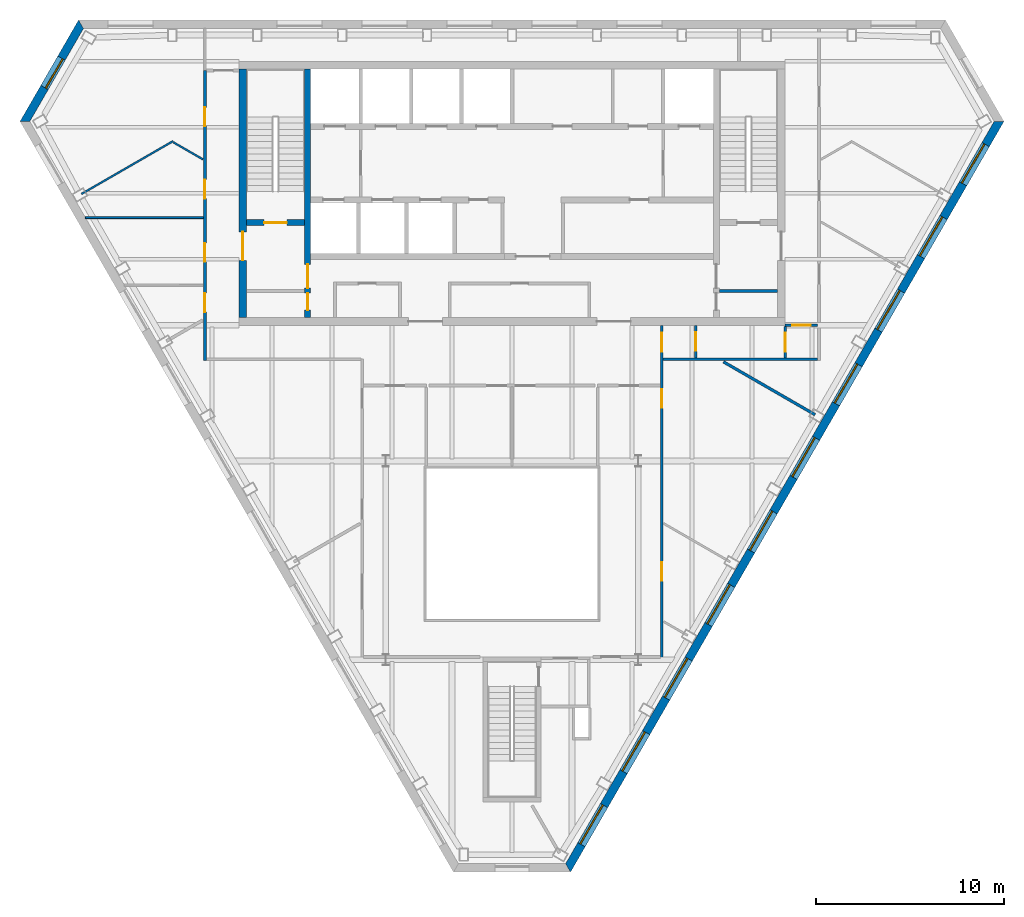
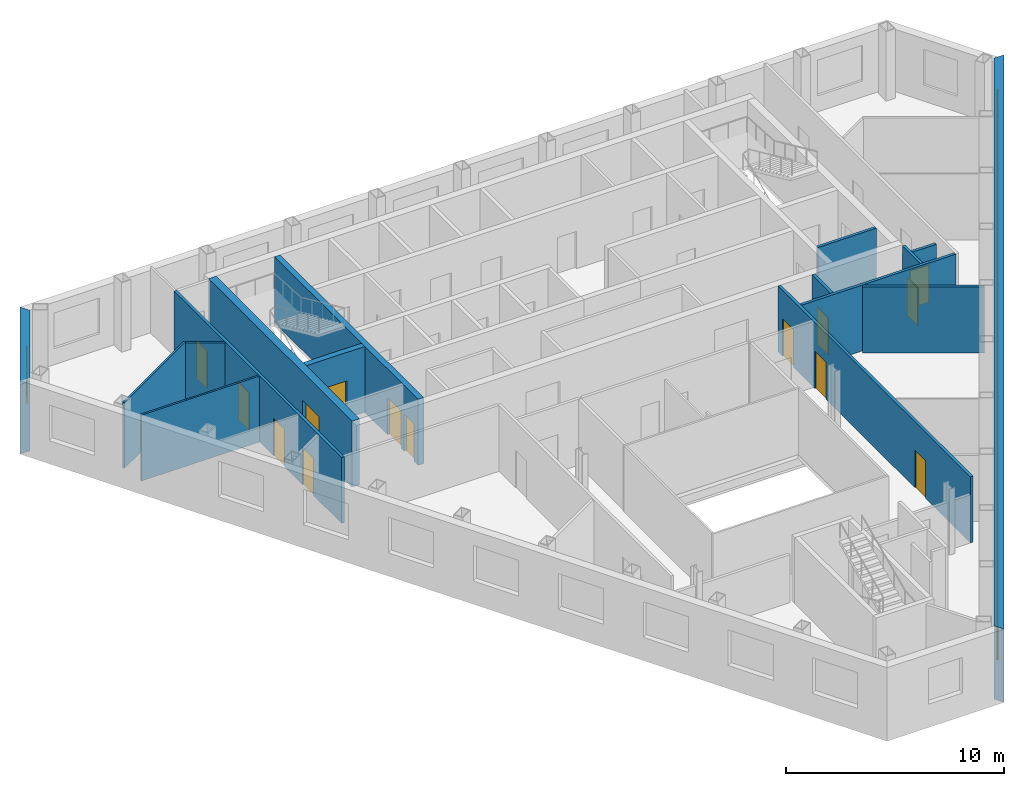
# One storey, part 5 of 10: 16 walls, 14 doors, 11 windows, 25 openings.
"""IFC4 building model written with IfcOpenShell, lengths in metres."""

from ifc_helpers import new_model, si_unit, direction, frame, frame_2d, origin, place, context, subcontext, project, spatial, polyline, rectangle, outline, extrude, material, layer, layer_set, type_object, element, fill, save


model = new_model("IFC4")

# Units and contexts
model_context = context("Model", 3, precision=1e-05, world=origin(), true_north=direction((0.0, 1.0)))
body_context = subcontext(model_context, "Body", "Model", "MODEL_VIEW")
ifc_project = project(units=[si_unit("LENGTHUNIT", "METRE"), si_unit("AREAUNIT", "SQUARE_METRE"), si_unit("VOLUMEUNIT", "CUBIC_METRE"), si_unit("PLANEANGLEUNIT", "RADIAN"), si_unit("MASSUNIT", "GRAM", prefix="KILO")], contexts=[model_context])

# Site, building, storey
site_placement = place(None, origin())
site = spatial("IfcSite", under=ifc_project, at=site_placement, CompositionType="ELEMENT")
building_placement = place(site_placement, origin())
building = spatial("IfcBuilding", under=site, at=building_placement, Name="Njiva Tower", CompositionType="ELEMENT")
storey_placement = place(building_placement, frame((0.0, 0.0, 253.2)))
storey = spatial("IfcBuildingStorey", under=building, at=storey_placement, Name="L57", CompositionType="ELEMENT", Elevation=253.2)

# Wall
ifc_material_1 = material(Name="Blockwork", Category="masonry")
ifc_layer_1 = layer(ifc_material_1, 0.15)
ifc_layer_set_1 = layer_set([ifc_layer_1], Name="Blockwork")
wall_type_1 = type_object("IfcWallType", Name="WT1 Compartment partition 150", PredefinedType="PARTITIONING", material=ifc_layer_set_1)
wall_1_placement = place(storey_placement, frame((11.0, 5.825, 0.0), z_axis=(0.0, 0.0, 1.0), x_axis=(1.0, 0.0, 0.0)))
element("IfcWall", 1, at=wall_1_placement, inside=storey, type_object=wall_type_1, Name="Room wall B", PredefinedType="PARTITIONING", context=body_context, shape_type="SweptSolid", body=[
    extrude(rectangle(XDim=3.1, YDim=0.15, at=frame_2d((1.55, 0.0))), origin(), (0.0, 0.0, 1.0), 3.7),
])

# Wall, openings, doors
ifc_material_2 = material(Name="Concrete C40/50", Category="concrete")
ifc_layer_2 = layer(ifc_material_2, 0.3)
ifc_layer_set_2 = layer_set([ifc_layer_2], Name="Concrete C40/50")
wall_type_2 = type_object("IfcWallType", Name="WT10 Stair enclosure wall 300", PredefinedType="SHEAR", material=ifc_layer_set_2)
wall_2_placement = place(storey_placement, frame((-10.85, 4.4, 0.0), z_axis=(0.0, 0.0, 1.0), x_axis=(0.0, 1.0, 0.0)))
wall_2 = element("IfcWall", 2, at=wall_2_placement, inside=storey, type_object=wall_type_2, Name="Stair wall west inner", PredefinedType="SHEAR", context=body_context, shape_type="SweptSolid", body=[
    extrude(rectangle(XDim=13.2, YDim=0.3, at=frame_2d((6.6, 0.0))), origin(), (0.0, 0.0, 1.0), 3.7),
])
opening_1_placement = place(wall_2_placement, frame((1.575, 0.0, 0.0)))
opening_1 = element("IfcOpeningElement", 3, at=opening_1_placement, cuts=wall_2, Name="Opening S18-D915", PredefinedType="OPENING", context=body_context, shape_type="SweptSolid", body=[
    extrude(rectangle(XDim=1.25, YDim=2.1, at=frame_2d((0.625, 1.05))), frame((0.0, 0.16, 0.0), z_axis=(0.0, -1.0, 0.0), x_axis=(1.0, 0.0, 0.0)), (0.0, 0.0, 1.0), 0.32),
])
opening_2_placement = place(wall_2_placement, frame((0.4, 0.0, 0.0)))
opening_2 = element("IfcOpeningElement", 4, at=opening_2_placement, cuts=wall_2, Name="Opening S18-D917", PredefinedType="OPENING", context=body_context, shape_type="SweptSolid", body=[
    extrude(rectangle(XDim=0.9, YDim=2.1, at=frame_2d((0.45, 1.05))), frame((0.0, 0.16, 0.0), z_axis=(0.0, -1.0, 0.0), x_axis=(1.0, 0.0, 0.0)), (0.0, 0.0, 1.0), 0.32),
])
ifc_material_3 = material(Name="Steel door, painted", Category="steel")
door_type_1 = type_object("IfcDoorType", Name="D13 Steel door 900x2100", OperationType="SINGLE_SWING_LEFT", PredefinedType="DOOR", material=ifc_material_3)
door_1_placement = place(opening_2_placement, origin())
door_1 = element("IfcDoor", 5, at=door_1_placement, inside=storey, type_object=door_type_1, Name="Prayer room door", OperationType="SINGLE_SWING_RIGHT", OverallHeight=2.1, OverallWidth=0.9, PredefinedType="DOOR", context=body_context, shape_type="SweptSolid", body=[
    extrude(rectangle(XDim=0.9, YDim=2.1, at=frame_2d((0.45, 1.05))), frame((0.0, 0.025, 0.0), z_axis=(0.0, -1.0, 0.0), x_axis=(1.0, 0.0, 0.0)), (0.0, 0.0, 1.0), 0.05),
])
fill(opening_2, door_1)
ifc_material_4 = material(Name="Glazed steel fire door", Category="steel")
door_type_2 = type_object("IfcDoorType", Name="D8 Vestibule corridor door 1250x2100 glazed", OperationType="SINGLE_SWING_LEFT", PredefinedType="DOOR", material=ifc_material_4)
door_2_placement = place(opening_1_placement, origin())
door_2 = element("IfcDoor", 6, at=door_2_placement, inside=storey, type_object=door_type_2, Name="Stair vestibule corridor door", OperationType="SINGLE_SWING_LEFT", OverallHeight=2.1, OverallWidth=1.25, PredefinedType="DOOR", context=body_context, shape_type="SweptSolid", body=[
    extrude(rectangle(XDim=1.25, YDim=2.1, at=frame_2d((0.625, 1.05))), frame((0.0, 0.025, 0.0), z_axis=(0.0, -1.0, 0.0), x_axis=(1.0, 0.0, 0.0)), (0.0, 0.0, 1.0), 0.05),
])
fill(opening_1, door_2)

# Wall, opening, door
wall_3_placement = place(storey_placement, frame((-14.1, 9.45, 0.0), z_axis=(0.0, 0.0, 1.0), x_axis=(1.0, 0.0, 0.0)))
wall_3 = element("IfcWall", 7, at=wall_3_placement, inside=storey, type_object=wall_type_2, Name="Stair A south wall", PredefinedType="SHEAR", context=body_context, shape_type="SweptSolid", body=[
    extrude(rectangle(XDim=3.1, YDim=0.3, at=frame_2d((1.55, 0.0))), origin(), (0.0, 0.0, 1.0), 3.7),
])
opening_3_placement = place(wall_3_placement, frame((0.95, 0.0, 0.0)))
opening_3 = element("IfcOpeningElement", 8, at=opening_3_placement, cuts=wall_3, Name="Opening S18-D914", PredefinedType="OPENING", context=body_context, shape_type="SweptSolid", body=[
    extrude(rectangle(XDim=1.2, YDim=2.1, at=frame_2d((0.6, 1.05))), frame((0.0, 0.16, 0.0), z_axis=(0.0, -1.0, 0.0), x_axis=(1.0, 0.0, 0.0)), (0.0, 0.0, 1.0), 0.32),
])
door_type_3 = type_object("IfcDoorType", Name="D7 Stair vestibule door 1200x2100 glazed", OperationType="SINGLE_SWING_LEFT", PredefinedType="DOOR", material=ifc_material_4)
door_3_placement = place(opening_3_placement, origin())
door_3 = element("IfcDoor", 9, at=door_3_placement, inside=storey, type_object=door_type_3, Name="Stair A door", OperationType="SINGLE_SWING_LEFT", OverallHeight=2.1, OverallWidth=1.2, PredefinedType="DOOR", context=body_context, shape_type="SweptSolid", body=[
    extrude(rectangle(XDim=1.2, YDim=2.1, at=frame_2d((0.6, 1.05))), frame((0.0, 0.025, 0.0), z_axis=(0.0, -1.0, 0.0), x_axis=(1.0, 0.0, 0.0)), (0.0, 0.0, 1.0), 0.05),
])
fill(opening_3, door_3)

ifc_material_5 = material(Name="Concrete C60/75", Category="concrete")
ifc_layer_3 = layer(ifc_material_5, 0.4)
ifc_layer_set_3 = layer_set([ifc_layer_3], Name="Concrete C60/75")
wall_type_3 = type_object("IfcWallType", Name="WT11 Core wall 400", PredefinedType="SHEAR", material=ifc_layer_set_3)
wall_4_placement = place(storey_placement, frame((-14.3, 4.4, 0.0), z_axis=(0.0, 0.0, 1.0), x_axis=(0.0, 1.0, 0.0)))
wall_4 = element("IfcWall", 10, at=wall_4_placement, inside=storey, type_object=wall_type_3, Name="Core wall west", PredefinedType="SHEAR", context=body_context, shape_type="SweptSolid", body=[
    extrude(rectangle(XDim=13.2, YDim=0.4, at=frame_2d((6.6, 0.0))), origin(), (0.0, 0.0, 1.0), 3.7),
])
opening_4_placement = place(wall_4_placement, frame((3.05, 0.0, 0.0)))
opening_4 = element("IfcOpeningElement", 11, at=opening_4_placement, cuts=wall_4, Name="Opening S18-D916", PredefinedType="OPENING", context=body_context, shape_type="SweptSolid", body=[
    extrude(rectangle(XDim=1.5, YDim=2.1, at=frame_2d((0.75, 1.05))), frame((0.0, 0.21, 0.0), z_axis=(0.0, -1.0, 0.0), x_axis=(1.0, 0.0, 0.0)), (0.0, 0.0, 1.0), 0.42),
])
door_type_4 = type_object("IfcDoorType", Name="D10 Exit door double 1500x2100 glazed", OperationType="DOUBLE_DOOR_SINGLE_SWING", PredefinedType="DOOR", material=ifc_material_4)
door_4_placement = place(opening_4_placement, origin())
door_4 = element("IfcDoor", 12, at=door_4_placement, inside=storey, type_object=door_type_4, Name="Stair A corridor door", OperationType="DOUBLE_DOOR_SINGLE_SWING", OverallHeight=2.1, OverallWidth=1.5, PredefinedType="DOOR", context=body_context, shape_type="SweptSolid", body=[
    extrude(rectangle(XDim=1.5, YDim=2.1, at=frame_2d((0.75, 1.05))), frame((0.0, 0.025, 0.0), z_axis=(0.0, -1.0, 0.0), x_axis=(1.0, 0.0, 0.0)), (0.0, 0.0, 1.0), 0.05),
])
fill(opening_4, door_4)

# Walls
ifc_material_6 = material(Name="Gypsum board on steel studs", Category="gypsum")
ifc_layer_4 = layer(ifc_material_6, 0.1)
ifc_layer_set_4 = layer_set([ifc_layer_4], Name="Gypsum board on steel studs")
wall_type_4 = type_object("IfcWallType", Name="WT20 Gypsum partition 100", PredefinedType="PARTITIONING", material=ifc_layer_set_4)
wall_5_placement = place(storey_placement, frame((-22.846, 10.969, 0.0), z_axis=(0.0, 0.0, 1.0), x_axis=(0.866182615826, 0.499727601839, 0.0)))
element("IfcWall", 13, at=wall_5_placement, inside=storey, type_object=wall_type_4, Name="Partition S18-P001", PredefinedType="PARTITIONING", context=body_context, shape_type="SweptSolid", body=[
    extrude(rectangle(XDim=5.6051, YDim=0.1, at=frame_2d((2.8026, 0.0))), origin(), (0.0, 0.0, 1.0), 3.7),
])
wall_6_placement = place(storey_placement, frame((-22.638, 9.711, 0.0), z_axis=(0.0, 0.0, 1.0), x_axis=(1.0, 0.0, 0.0)))
element("IfcWall", 14, at=wall_6_placement, inside=storey, type_object=wall_type_4, Name="Partition S18-P002", PredefinedType="PARTITIONING", context=body_context, shape_type="SweptSolid", body=[
    extrude(rectangle(XDim=6.263, YDim=0.1, at=frame_2d((3.1315, 0.0))), origin(), (0.0, 0.0, 1.0), 3.7),
])
wall_7_placement = place(storey_placement, frame((-17.975, 13.711, 0.0), z_axis=(0.0, 0.0, 1.0), x_axis=(0.866341220787, -0.499452589508, 0.0)))
element("IfcWall", 15, at=wall_7_placement, inside=storey, type_object=wall_type_4, Name="Partition S18-P005", PredefinedType="PARTITIONING", context=body_context, shape_type="SweptSolid", body=[
    extrude(rectangle(XDim=1.818, YDim=0.1, at=frame_2d((0.909, 0.0))), origin(), (0.0, 0.0, 1.0), 3.7),
])

# Wall, openings, doors
ifc_layer_5 = layer(ifc_material_6, 0.15)
ifc_layer_set_5 = layer_set([ifc_layer_5], Name="Gypsum board on steel studs")
wall_type_5 = type_object("IfcWallType", Name="WT21 Compartment wall 150", PredefinedType="PARTITIONING", material=ifc_layer_set_5)
wall_8_placement = place(storey_placement, frame((-16.3, 2.125, 0.0), z_axis=(0.0, 0.0, 1.0), x_axis=(0.0, 1.0, 0.0)))
wall_8 = element("IfcWall", 16, at=wall_8_placement, inside=storey, type_object=wall_type_5, Name="Partition S18-P006", PredefinedType="PARTITIONING", context=body_context, shape_type="SweptSolid", body=[
    extrude(rectangle(XDim=15.406, YDim=0.15, at=frame_2d((7.703, 0.0))), origin(), (0.0, 0.0, 1.0), 3.7),
])
opening_5_placement = place(wall_8_placement, frame((2.576, 0.0, 0.0)))
opening_5 = element("IfcOpeningElement", 17, at=opening_5_placement, cuts=wall_8, Name="Opening S18-D001", PredefinedType="OPENING", context=body_context, shape_type="SweptSolid", body=[
    extrude(rectangle(XDim=1.0, YDim=2.1, at=frame_2d((0.5, 1.05))), frame((0.0, 0.085, 0.0), z_axis=(0.0, -1.0, 0.0), x_axis=(1.0, 0.0, 0.0)), (0.0, 0.0, 1.0), 0.17),
])
opening_6_placement = place(wall_8_placement, frame((5.24, 0.0, 0.0)))
opening_6 = element("IfcOpeningElement", 18, at=opening_6_placement, cuts=wall_8, Name="Opening S18-D002", PredefinedType="OPENING", context=body_context, shape_type="SweptSolid", body=[
    extrude(rectangle(XDim=1.0, YDim=2.1, at=frame_2d((0.5, 1.05))), frame((0.0, 0.085, 0.0), z_axis=(0.0, -1.0, 0.0), x_axis=(1.0, 0.0, 0.0)), (0.0, 0.0, 1.0), 0.17),
])
opening_7_placement = place(wall_8_placement, frame((8.602, 0.0, 0.0)))
opening_7 = element("IfcOpeningElement", 19, at=opening_7_placement, cuts=wall_8, Name="Opening S18-D003", PredefinedType="OPENING", context=body_context, shape_type="SweptSolid", body=[
    extrude(rectangle(XDim=1.0, YDim=2.1, at=frame_2d((0.5, 1.05))), frame((0.0, 0.085, 0.0), z_axis=(0.0, -1.0, 0.0), x_axis=(1.0, 0.0, 0.0)), (0.0, 0.0, 1.0), 0.17),
])
opening_8_placement = place(wall_8_placement, frame((12.438, 0.0, 0.0)))
opening_8 = element("IfcOpeningElement", 20, at=opening_8_placement, cuts=wall_8, Name="Opening S18-D004", PredefinedType="OPENING", context=body_context, shape_type="SweptSolid", body=[
    extrude(rectangle(XDim=1.0, YDim=2.1, at=frame_2d((0.5, 1.05))), frame((0.0, 0.085, 0.0), z_axis=(0.0, -1.0, 0.0), x_axis=(1.0, 0.0, 0.0)), (0.0, 0.0, 1.0), 0.17),
])
ifc_material_7 = material(Name="Steel fire door set", Category="steel")
door_type_5 = type_object("IfcDoorType", Name="D37 Fire door 1000x2100", OperationType="SINGLE_SWING_LEFT", PredefinedType="DOOR", material=ifc_material_7)
door_5_placement = place(opening_5_placement, origin())
door_5 = element("IfcDoor", 21, at=door_5_placement, inside=storey, type_object=door_type_5, Name="Door S18-D001", OperationType="SINGLE_SWING_RIGHT", OverallHeight=2.1, OverallWidth=1.0, PredefinedType="DOOR", context=body_context, shape_type="SweptSolid", body=[
    extrude(rectangle(XDim=1.0, YDim=2.1, at=frame_2d((0.5, 1.05))), frame((0.0, 0.025, 0.0), z_axis=(0.0, -1.0, 0.0), x_axis=(1.0, 0.0, 0.0)), (0.0, 0.0, 1.0), 0.05),
])
fill(opening_5, door_5)
door_6_placement = place(opening_6_placement, origin())
door_6 = element("IfcDoor", 22, at=door_6_placement, inside=storey, type_object=door_type_5, Name="Door S18-D002", OperationType="SINGLE_SWING_RIGHT", OverallHeight=2.1, OverallWidth=1.0, PredefinedType="DOOR", context=body_context, shape_type="SweptSolid", body=[
    extrude(rectangle(XDim=1.0, YDim=2.1, at=frame_2d((0.5, 1.05))), frame((0.0, 0.025, 0.0), z_axis=(0.0, -1.0, 0.0), x_axis=(1.0, 0.0, 0.0)), (0.0, 0.0, 1.0), 0.05),
])
fill(opening_6, door_6)
door_7_placement = place(opening_7_placement, origin())
door_7 = element("IfcDoor", 23, at=door_7_placement, inside=storey, type_object=door_type_5, Name="Door S18-D003", OperationType="SINGLE_SWING_LEFT", OverallHeight=2.1, OverallWidth=1.0, PredefinedType="DOOR", context=body_context, shape_type="SweptSolid", body=[
    extrude(rectangle(XDim=1.0, YDim=2.1, at=frame_2d((0.5, 1.05))), frame((0.0, 0.025, 0.0), z_axis=(0.0, -1.0, 0.0), x_axis=(1.0, 0.0, 0.0)), (0.0, 0.0, 1.0), 0.05),
])
fill(opening_7, door_7)
door_8_placement = place(opening_8_placement, origin())
door_8 = element("IfcDoor", 24, at=door_8_placement, inside=storey, type_object=door_type_5, Name="Door S18-D004", OperationType="SINGLE_SWING_LEFT", OverallHeight=2.1, OverallWidth=1.0, PredefinedType="DOOR", context=body_context, shape_type="SweptSolid", body=[
    extrude(rectangle(XDim=1.0, YDim=2.1, at=frame_2d((0.5, 1.05))), frame((0.0, 0.025, 0.0), z_axis=(0.0, -1.0, 0.0), x_axis=(1.0, 0.0, 0.0)), (0.0, 0.0, 1.0), 0.05),
])
fill(opening_8, door_8)

wall_9_placement = place(storey_placement, frame((7.95, -13.675, 0.0), z_axis=(0.0, 0.0, 1.0), x_axis=(0.0, 1.0, 0.0)))
wall_9 = element("IfcWall", 25, at=wall_9_placement, inside=storey, type_object=wall_type_5, Name="Partition S18-P021", PredefinedType="PARTITIONING", context=body_context, shape_type="SweptSolid", body=[
    extrude(rectangle(XDim=17.675, YDim=0.15, at=frame_2d((8.8375, 0.0))), origin(), (0.0, 0.0, 1.0), 3.7),
])
opening_9_placement = place(wall_9_placement, frame((4.109, 0.0, 0.0)))
opening_9 = element("IfcOpeningElement", 26, at=opening_9_placement, cuts=wall_9, Name="Opening S18-D014", PredefinedType="OPENING", context=body_context, shape_type="SweptSolid", body=[
    extrude(rectangle(XDim=1.0, YDim=2.1, at=frame_2d((0.5, 1.05))), frame((0.0, 0.085, 0.0), z_axis=(0.0, -1.0, 0.0), x_axis=(1.0, 0.0, 0.0)), (0.0, 0.0, 1.0), 0.17),
])
opening_10_placement = place(wall_9_placement, frame((13.287, 0.0, 0.0)))
opening_10 = element("IfcOpeningElement", 27, at=opening_10_placement, cuts=wall_9, Name="Opening S18-D015", PredefinedType="OPENING", context=body_context, shape_type="SweptSolid", body=[
    extrude(rectangle(XDim=1.0, YDim=2.1, at=frame_2d((0.5, 1.05))), frame((0.0, 0.085, 0.0), z_axis=(0.0, -1.0, 0.0), x_axis=(1.0, 0.0, 0.0)), (0.0, 0.0, 1.0), 0.17),
])
opening_11_placement = place(wall_9_placement, frame((16.275, 0.0, 0.0)))
opening_11 = element("IfcOpeningElement", 28, at=opening_11_placement, cuts=wall_9, Name="Opening S18-D016", PredefinedType="OPENING", context=body_context, shape_type="SweptSolid", body=[
    extrude(rectangle(XDim=1.0, YDim=2.1, at=frame_2d((0.5, 1.05))), frame((0.0, 0.085, 0.0), z_axis=(0.0, -1.0, 0.0), x_axis=(1.0, 0.0, 0.0)), (0.0, 0.0, 1.0), 0.17),
])
door_9_placement = place(opening_9_placement, origin())
door_9 = element("IfcDoor", 29, at=door_9_placement, inside=storey, type_object=door_type_5, Name="Door S18-D014", OperationType="SINGLE_SWING_LEFT", OverallHeight=2.1, OverallWidth=1.0, PredefinedType="DOOR", context=body_context, shape_type="SweptSolid", body=[
    extrude(rectangle(XDim=1.0, YDim=2.1, at=frame_2d((0.5, 1.05))), frame((0.0, 0.025, 0.0), z_axis=(0.0, -1.0, 0.0), x_axis=(1.0, 0.0, 0.0)), (0.0, 0.0, 1.0), 0.05),
])
fill(opening_9, door_9)
door_10_placement = place(opening_10_placement, origin())
door_10 = element("IfcDoor", 30, at=door_10_placement, inside=storey, type_object=door_type_5, Name="Door S18-D015", OperationType="SINGLE_SWING_RIGHT", OverallHeight=2.1, OverallWidth=1.0, PredefinedType="DOOR", context=body_context, shape_type="SweptSolid", body=[
    extrude(rectangle(XDim=1.0, YDim=2.1, at=frame_2d((0.5, 1.05))), frame((0.0, 0.025, 0.0), z_axis=(0.0, -1.0, 0.0), x_axis=(1.0, 0.0, 0.0)), (0.0, 0.0, 1.0), 0.05),
])
fill(opening_10, door_10)
door_11_placement = place(opening_11_placement, origin())
door_11 = element("IfcDoor", 31, at=door_11_placement, inside=storey, type_object=door_type_5, Name="Door S18-D016", OperationType="SINGLE_SWING_RIGHT", OverallHeight=2.1, OverallWidth=1.0, PredefinedType="DOOR", context=body_context, shape_type="SweptSolid", body=[
    extrude(rectangle(XDim=1.0, YDim=2.1, at=frame_2d((0.5, 1.05))), frame((0.0, 0.025, 0.0), z_axis=(0.0, -1.0, 0.0), x_axis=(1.0, 0.0, 0.0)), (0.0, 0.0, 1.0), 0.05),
])
fill(opening_11, door_11)

# Wall
wall_10_placement = place(storey_placement, frame((8.025, 2.2, 0.0), z_axis=(0.0, 0.0, 1.0), x_axis=(1.0, 0.0, 0.0)))
element("IfcWall", 32, at=wall_10_placement, inside=storey, type_object=wall_type_5, Name="Partition S18-P022", PredefinedType="PARTITIONING", context=body_context, shape_type="SweptSolid", body=[
    extrude(rectangle(XDim=8.2, YDim=0.15, at=frame_2d((4.1, 0.0))), origin(), (0.0, 0.0, 1.0), 3.7),
])

# Wall, opening, door
wall_11_placement = place(storey_placement, frame((9.75, 2.275, 0.0), z_axis=(0.0, 0.0, 1.0), x_axis=(0.0, 1.0, 0.0)))
wall_11 = element("IfcWall", 33, at=wall_11_placement, inside=storey, type_object=wall_type_5, Name="Partition S18-P025", PredefinedType="PARTITIONING", context=body_context, shape_type="SweptSolid", body=[
    extrude(rectangle(XDim=1.725, YDim=0.15, at=frame_2d((0.8625, 0.0))), origin(), (0.0, 0.0, 1.0), 3.7),
])
opening_12_placement = place(wall_11_placement, frame((0.362, 0.0, 0.0)))
opening_12 = element("IfcOpeningElement", 34, at=opening_12_placement, cuts=wall_11, Name="Opening S18-D017", PredefinedType="OPENING", context=body_context, shape_type="SweptSolid", body=[
    extrude(rectangle(XDim=1.0, YDim=2.1, at=frame_2d((0.5, 1.05))), frame((0.0, 0.085, 0.0), z_axis=(0.0, -1.0, 0.0), x_axis=(1.0, 0.0, 0.0)), (0.0, 0.0, 1.0), 0.17),
])
door_12_placement = place(opening_12_placement, origin())
door_12 = element("IfcDoor", 35, at=door_12_placement, inside=storey, type_object=door_type_5, Name="Door S18-D017", OperationType="SINGLE_SWING_LEFT", OverallHeight=2.1, OverallWidth=1.0, PredefinedType="DOOR", context=body_context, shape_type="SweptSolid", body=[
    extrude(rectangle(XDim=1.0, YDim=2.1, at=frame_2d((0.5, 1.05))), frame((0.0, 0.025, 0.0), z_axis=(0.0, -1.0, 0.0), x_axis=(1.0, 0.0, 0.0)), (0.0, 0.0, 1.0), 0.05),
])
fill(opening_12, door_12)

# Wall
wall_12_placement = place(storey_placement, frame((11.221, 2.06, 0.0), z_axis=(0.0, 0.0, 1.0), x_axis=(0.866108468144, -0.499856100702, 0.0)))
element("IfcWall", 36, at=wall_12_placement, inside=storey, type_object=wall_type_5, Name="Partition S18-P026", PredefinedType="PARTITIONING", context=body_context, shape_type="SweptSolid", body=[
    extrude(rectangle(XDim=5.6136, YDim=0.15, at=frame_2d((2.8068, 0.0))), origin(), (0.0, 0.0, 1.0), 3.7),
])

# Wall, opening, door
wall_13_placement = place(storey_placement, frame((14.5, 2.275, 0.0), z_axis=(0.0, 0.0, 1.0), x_axis=(0.0, 1.0, 0.0)))
wall_13 = element("IfcWall", 37, at=wall_13_placement, inside=storey, type_object=wall_type_5, Name="Partition S18-P028", PredefinedType="PARTITIONING", context=body_context, shape_type="SweptSolid", body=[
    extrude(rectangle(XDim=1.65, YDim=0.15, at=frame_2d((0.825, 0.0))), origin(), (0.0, 0.0, 1.0), 3.7),
])
opening_13_placement = place(wall_13_placement, frame((0.325, 0.0, 0.0)))
opening_13 = element("IfcOpeningElement", 38, at=opening_13_placement, cuts=wall_13, Name="Opening S18-D018", PredefinedType="OPENING", context=body_context, shape_type="SweptSolid", body=[
    extrude(rectangle(XDim=1.0, YDim=2.1, at=frame_2d((0.5, 1.05))), frame((0.0, 0.085, 0.0), z_axis=(0.0, -1.0, 0.0), x_axis=(1.0, 0.0, 0.0)), (0.0, 0.0, 1.0), 0.17),
])
door_13_placement = place(opening_13_placement, origin())
door_13 = element("IfcDoor", 39, at=door_13_placement, inside=storey, type_object=door_type_5, Name="Door S18-D018", OperationType="SINGLE_SWING_LEFT", OverallHeight=2.1, OverallWidth=1.0, PredefinedType="DOOR", context=body_context, shape_type="SweptSolid", body=[
    extrude(rectangle(XDim=1.0, YDim=2.1, at=frame_2d((0.5, 1.05))), frame((0.0, 0.025, 0.0), z_axis=(0.0, -1.0, 0.0), x_axis=(1.0, 0.0, 0.0)), (0.0, 0.0, 1.0), 0.05),
])
fill(opening_13, door_13)

wall_14_placement = place(storey_placement, frame((14.5, 4.0, 0.0), z_axis=(0.0, 0.0, 1.0), x_axis=(1.0, 0.0, 0.0)))
wall_14 = element("IfcWall", 40, at=wall_14_placement, inside=storey, type_object=wall_type_5, Name="Partition S18-P029", PredefinedType="PARTITIONING", context=body_context, shape_type="SweptSolid", body=[
    extrude(rectangle(XDim=1.725, YDim=0.15, at=frame_2d((0.8625, 0.0))), origin(), (0.0, 0.0, 1.0), 3.16),
])
opening_14_placement = place(wall_14_placement, frame((0.363, 0.0, 0.0)))
opening_14 = element("IfcOpeningElement", 41, at=opening_14_placement, cuts=wall_14, Name="Opening S18-D019", PredefinedType="OPENING", context=body_context, shape_type="SweptSolid", body=[
    extrude(rectangle(XDim=1.0, YDim=2.1, at=frame_2d((0.5, 1.05))), frame((0.0, 0.085, 0.0), z_axis=(0.0, -1.0, 0.0), x_axis=(1.0, 0.0, 0.0)), (0.0, 0.0, 1.0), 0.17),
])
door_14_placement = place(opening_14_placement, origin())
door_14 = element("IfcDoor", 42, at=door_14_placement, inside=storey, type_object=door_type_5, Name="Door S18-D019", OperationType="SINGLE_SWING_LEFT", OverallHeight=2.1, OverallWidth=1.0, PredefinedType="DOOR", context=body_context, shape_type="SweptSolid", body=[
    extrude(rectangle(XDim=1.0, YDim=2.1, at=frame_2d((0.5, 1.05))), frame((0.0, 0.025, 0.0), z_axis=(0.0, -1.0, 0.0), x_axis=(1.0, 0.0, 0.0)), (0.0, 0.0, 1.0), 0.05),
])
fill(opening_14, door_14)

# Wall, openings, windows
ifc_material_8 = material(Name="Brick masonry", Category="masonry")
ifc_layer_6 = layer(ifc_material_8, 0.45)
ifc_layer_set_6 = layer_set([ifc_layer_6], Name="Brick masonry")
wall_type_6 = type_object("IfcWallType", Name="WT90 Brick pier and spandrel wall 450", PredefinedType="SOLIDWALL", material=ifc_layer_set_6)
wall_15_placement = place(storey_placement, frame((2.9751, -24.7988, -0.4), z_axis=(0.0, 0.0, 1.0), x_axis=(0.500000335318, 0.866025210188, 0.0)))
wall_15 = element("IfcWall", 43, at=wall_15_placement, inside=storey, type_object=wall_type_6, Name="Facade wall SE", PredefinedType="SOLIDWALL", context=body_context, shape_type="SweptSolid", body=[
    extrude(outline(polyline([(-0.1299, -0.225), (45.8801, -0.225), (45.6203, 0.225), (0.1299, 0.225), (-0.1299, -0.225)])), origin(), (0.0, 0.0, 1.0), 4.12),
])
opening_15_placement = place(wall_15_placement, frame((1.4247, 0.0, 1.3)))
opening_15 = element("IfcOpeningElement", 44, at=opening_15_placement, cuts=wall_15, Name="Opening S18-W19", PredefinedType="OPENING", context=body_context, shape_type="SweptSolid", body=[
    extrude(rectangle(XDim=2.4, YDim=2.0, at=frame_2d((1.2, 1.0))), frame((0.0, 0.235, 0.0), z_axis=(0.0, -1.0, 0.0), x_axis=(1.0, 0.0, 0.0)), (0.0, 0.0, 1.0), 0.47),
])
opening_16_placement = place(wall_15_placement, frame((5.8949, 0.0, 1.3)))
opening_16 = element("IfcOpeningElement", 45, at=opening_16_placement, cuts=wall_15, Name="Opening S18-W20", PredefinedType="OPENING", context=body_context, shape_type="SweptSolid", body=[
    extrude(rectangle(XDim=2.4, YDim=2.0, at=frame_2d((1.2, 1.0))), frame((0.0, 0.235, 0.0), z_axis=(0.0, -1.0, 0.0), x_axis=(1.0, 0.0, 0.0)), (0.0, 0.0, 1.0), 0.47),
])
opening_17_placement = place(wall_15_placement, frame((10.4035, 0.0, 1.3)))
opening_17 = element("IfcOpeningElement", 46, at=opening_17_placement, cuts=wall_15, Name="Opening S18-W21", PredefinedType="OPENING", context=body_context, shape_type="SweptSolid", body=[
    extrude(rectangle(XDim=2.4, YDim=2.0, at=frame_2d((1.2, 1.0))), frame((0.0, 0.235, 0.0), z_axis=(0.0, -1.0, 0.0), x_axis=(1.0, 0.0, 0.0)), (0.0, 0.0, 1.0), 0.47),
])
opening_18_placement = place(wall_15_placement, frame((14.9122, 0.0, 1.3)))
opening_18 = element("IfcOpeningElement", 47, at=opening_18_placement, cuts=wall_15, Name="Opening S18-W22", PredefinedType="OPENING", context=body_context, shape_type="SweptSolid", body=[
    extrude(rectangle(XDim=2.4, YDim=2.0, at=frame_2d((1.2, 1.0))), frame((0.0, 0.235, 0.0), z_axis=(0.0, -1.0, 0.0), x_axis=(1.0, 0.0, 0.0)), (0.0, 0.0, 1.0), 0.47),
])
opening_19_placement = place(wall_15_placement, frame((19.4208, 0.0, 1.3)))
opening_19 = element("IfcOpeningElement", 48, at=opening_19_placement, cuts=wall_15, Name="Opening S18-W23", PredefinedType="OPENING", context=body_context, shape_type="SweptSolid", body=[
    extrude(rectangle(XDim=2.4, YDim=2.0, at=frame_2d((1.2, 1.0))), frame((0.0, 0.235, 0.0), z_axis=(0.0, -1.0, 0.0), x_axis=(1.0, 0.0, 0.0)), (0.0, 0.0, 1.0), 0.47),
])
opening_20_placement = place(wall_15_placement, frame((23.9294, 0.0, 1.3)))
opening_20 = element("IfcOpeningElement", 49, at=opening_20_placement, cuts=wall_15, Name="Opening S18-W24", PredefinedType="OPENING", context=body_context, shape_type="SweptSolid", body=[
    extrude(rectangle(XDim=2.4, YDim=2.0, at=frame_2d((1.2, 1.0))), frame((0.0, 0.235, 0.0), z_axis=(0.0, -1.0, 0.0), x_axis=(1.0, 0.0, 0.0)), (0.0, 0.0, 1.0), 0.47),
])
opening_21_placement = place(wall_15_placement, frame((28.438, 0.0, 1.3)))
opening_21 = element("IfcOpeningElement", 50, at=opening_21_placement, cuts=wall_15, Name="Opening S18-W25", PredefinedType="OPENING", context=body_context, shape_type="SweptSolid", body=[
    extrude(rectangle(XDim=2.4, YDim=2.0, at=frame_2d((1.2, 1.0))), frame((0.0, 0.235, 0.0), z_axis=(0.0, -1.0, 0.0), x_axis=(1.0, 0.0, 0.0)), (0.0, 0.0, 1.0), 0.47),
])
opening_22_placement = place(wall_15_placement, frame((32.9466, 0.0, 1.3)))
opening_22 = element("IfcOpeningElement", 51, at=opening_22_placement, cuts=wall_15, Name="Opening S18-W26", PredefinedType="OPENING", context=body_context, shape_type="SweptSolid", body=[
    extrude(rectangle(XDim=2.4, YDim=2.0, at=frame_2d((1.2, 1.0))), frame((0.0, 0.235, 0.0), z_axis=(0.0, -1.0, 0.0), x_axis=(1.0, 0.0, 0.0)), (0.0, 0.0, 1.0), 0.47),
])
opening_23_placement = place(wall_15_placement, frame((37.4553, 0.0, 1.3)))
opening_23 = element("IfcOpeningElement", 52, at=opening_23_placement, cuts=wall_15, Name="Opening S18-W27", PredefinedType="OPENING", context=body_context, shape_type="SweptSolid", body=[
    extrude(rectangle(XDim=2.4, YDim=2.0, at=frame_2d((1.2, 1.0))), frame((0.0, 0.235, 0.0), z_axis=(0.0, -1.0, 0.0), x_axis=(1.0, 0.0, 0.0)), (0.0, 0.0, 1.0), 0.47),
])
opening_24_placement = place(wall_15_placement, frame((41.9255, 0.0, 1.3)))
opening_24 = element("IfcOpeningElement", 53, at=opening_24_placement, cuts=wall_15, Name="Opening S18-W28", PredefinedType="OPENING", context=body_context, shape_type="SweptSolid", body=[
    extrude(rectangle(XDim=2.4, YDim=2.0, at=frame_2d((1.2, 1.0))), frame((0.0, 0.235, 0.0), z_axis=(0.0, -1.0, 0.0), x_axis=(1.0, 0.0, 0.0)), (0.0, 0.0, 1.0), 0.47),
])
ifc_material_9 = material(Name="Clear glazing in aluminium frame", Category="aluminium")
window_type_1 = type_object("IfcWindowType", Name="W90 Deep-set window 2400x2000", PartitioningType="SINGLE_PANEL", PredefinedType="WINDOW", material=ifc_material_9)
window_1_placement = place(opening_15_placement, origin())
window_1 = element("IfcWindow", 54, at=window_1_placement, inside=storey, type_object=window_type_1, Name="Window", OverallHeight=2.0, OverallWidth=2.4, PartitioningType="SINGLE_PANEL", PredefinedType="WINDOW", context=body_context, shape_type="SweptSolid", body=[
    extrude(rectangle(XDim=2.4, YDim=2.0, at=frame_2d((1.2, 1.0))), frame((0.0, 0.105, 0.0), z_axis=(0.0, -1.0, 0.0), x_axis=(1.0, 0.0, 0.0)), (0.0, 0.0, 1.0), 0.06),
])
fill(opening_15, window_1)
window_2_placement = place(opening_16_placement, origin())
window_2 = element("IfcWindow", 55, at=window_2_placement, inside=storey, type_object=window_type_1, Name="Window", OverallHeight=2.0, OverallWidth=2.4, PartitioningType="SINGLE_PANEL", PredefinedType="WINDOW", context=body_context, shape_type="SweptSolid", body=[
    extrude(rectangle(XDim=2.4, YDim=2.0, at=frame_2d((1.2, 1.0))), frame((0.0, 0.105, 0.0), z_axis=(0.0, -1.0, 0.0), x_axis=(1.0, 0.0, 0.0)), (0.0, 0.0, 1.0), 0.06),
])
fill(opening_16, window_2)
window_3_placement = place(opening_17_placement, origin())
window_3 = element("IfcWindow", 56, at=window_3_placement, inside=storey, type_object=window_type_1, Name="Window", OverallHeight=2.0, OverallWidth=2.4, PartitioningType="SINGLE_PANEL", PredefinedType="WINDOW", context=body_context, shape_type="SweptSolid", body=[
    extrude(rectangle(XDim=2.4, YDim=2.0, at=frame_2d((1.2, 1.0))), frame((0.0, 0.105, 0.0), z_axis=(0.0, -1.0, 0.0), x_axis=(1.0, 0.0, 0.0)), (0.0, 0.0, 1.0), 0.06),
])
fill(opening_17, window_3)
window_4_placement = place(opening_18_placement, origin())
window_4 = element("IfcWindow", 57, at=window_4_placement, inside=storey, type_object=window_type_1, Name="Window", OverallHeight=2.0, OverallWidth=2.4, PartitioningType="SINGLE_PANEL", PredefinedType="WINDOW", context=body_context, shape_type="SweptSolid", body=[
    extrude(rectangle(XDim=2.4, YDim=2.0, at=frame_2d((1.2, 1.0))), frame((0.0, 0.105, 0.0), z_axis=(0.0, -1.0, 0.0), x_axis=(1.0, 0.0, 0.0)), (0.0, 0.0, 1.0), 0.06),
])
fill(opening_18, window_4)
window_5_placement = place(opening_19_placement, origin())
window_5 = element("IfcWindow", 58, at=window_5_placement, inside=storey, type_object=window_type_1, Name="Window", OverallHeight=2.0, OverallWidth=2.4, PartitioningType="SINGLE_PANEL", PredefinedType="WINDOW", context=body_context, shape_type="SweptSolid", body=[
    extrude(rectangle(XDim=2.4, YDim=2.0, at=frame_2d((1.2, 1.0))), frame((0.0, 0.105, 0.0), z_axis=(0.0, -1.0, 0.0), x_axis=(1.0, 0.0, 0.0)), (0.0, 0.0, 1.0), 0.06),
])
fill(opening_19, window_5)
window_6_placement = place(opening_20_placement, origin())
window_6 = element("IfcWindow", 59, at=window_6_placement, inside=storey, type_object=window_type_1, Name="Window", OverallHeight=2.0, OverallWidth=2.4, PartitioningType="SINGLE_PANEL", PredefinedType="WINDOW", context=body_context, shape_type="SweptSolid", body=[
    extrude(rectangle(XDim=2.4, YDim=2.0, at=frame_2d((1.2, 1.0))), frame((0.0, 0.105, 0.0), z_axis=(0.0, -1.0, 0.0), x_axis=(1.0, 0.0, 0.0)), (0.0, 0.0, 1.0), 0.06),
])
fill(opening_20, window_6)
window_7_placement = place(opening_21_placement, origin())
window_7 = element("IfcWindow", 60, at=window_7_placement, inside=storey, type_object=window_type_1, Name="Window", OverallHeight=2.0, OverallWidth=2.4, PartitioningType="SINGLE_PANEL", PredefinedType="WINDOW", context=body_context, shape_type="SweptSolid", body=[
    extrude(rectangle(XDim=2.4, YDim=2.0, at=frame_2d((1.2, 1.0))), frame((0.0, 0.105, 0.0), z_axis=(0.0, -1.0, 0.0), x_axis=(1.0, 0.0, 0.0)), (0.0, 0.0, 1.0), 0.06),
])
fill(opening_21, window_7)
window_8_placement = place(opening_22_placement, origin())
window_8 = element("IfcWindow", 61, at=window_8_placement, inside=storey, type_object=window_type_1, Name="Window", OverallHeight=2.0, OverallWidth=2.4, PartitioningType="SINGLE_PANEL", PredefinedType="WINDOW", context=body_context, shape_type="SweptSolid", body=[
    extrude(rectangle(XDim=2.4, YDim=2.0, at=frame_2d((1.2, 1.0))), frame((0.0, 0.105, 0.0), z_axis=(0.0, -1.0, 0.0), x_axis=(1.0, 0.0, 0.0)), (0.0, 0.0, 1.0), 0.06),
])
fill(opening_22, window_8)
window_9_placement = place(opening_23_placement, origin())
window_9 = element("IfcWindow", 62, at=window_9_placement, inside=storey, type_object=window_type_1, Name="Window", OverallHeight=2.0, OverallWidth=2.4, PartitioningType="SINGLE_PANEL", PredefinedType="WINDOW", context=body_context, shape_type="SweptSolid", body=[
    extrude(rectangle(XDim=2.4, YDim=2.0, at=frame_2d((1.2, 1.0))), frame((0.0, 0.105, 0.0), z_axis=(0.0, -1.0, 0.0), x_axis=(1.0, 0.0, 0.0)), (0.0, 0.0, 1.0), 0.06),
])
fill(opening_23, window_9)
window_10_placement = place(opening_24_placement, origin())
window_10 = element("IfcWindow", 63, at=window_10_placement, inside=storey, type_object=window_type_1, Name="Window", OverallHeight=2.0, OverallWidth=2.4, PartitioningType="SINGLE_PANEL", PredefinedType="WINDOW", context=body_context, shape_type="SweptSolid", body=[
    extrude(rectangle(XDim=2.4, YDim=2.0, at=frame_2d((1.2, 1.0))), frame((0.0, 0.105, 0.0), z_axis=(0.0, -1.0, 0.0), x_axis=(1.0, 0.0, 0.0)), (0.0, 0.0, 1.0), 0.06),
])
fill(opening_24, window_10)

# Wall, opening, window
ifc_material_10 = material(Name="Brick masonry, buff", Category="masonry")
ifc_layer_7 = layer(ifc_material_10, 0.45)
ifc_layer_set_7 = layer_set([ifc_layer_7], Name="Brick masonry, buff")
wall_type_7 = type_object("IfcWallType", Name="WT94 Brick pier and spandrel wall 450, buff", PredefinedType="SOLIDWALL", material=ifc_layer_set_7)
wall_16_placement = place(storey_placement, frame((-22.8713, 19.9728, -0.4), z_axis=(0.0, 0.0, 1.0), x_axis=(-0.500001772576, -0.866024380385, 0.0)))
wall_16 = element("IfcWall", 64, at=wall_16_placement, inside=storey, type_object=wall_type_7, Name="Facade wall NW", PredefinedType="SOLIDWALL", context=body_context, shape_type="SweptSolid", body=[
    extrude(outline(polyline([(-0.1299, -0.225), (6.0801, -0.225), (5.8203, 0.225), (0.1299, 0.225), (-0.1299, -0.225)])), origin(), (0.0, 0.0, 1.0), 3.9),
])
opening_25_placement = place(wall_16_placement, frame((2.0751, 0.0, 1.3)))
opening_25 = element("IfcOpeningElement", 65, at=opening_25_placement, cuts=wall_16, Name="Opening S18-W08", PredefinedType="OPENING", context=body_context, shape_type="SweptSolid", body=[
    extrude(rectangle(XDim=1.8, YDim=2.0, at=frame_2d((0.9, 1.0))), frame((0.0, 0.235, 0.0), z_axis=(0.0, -1.0, 0.0), x_axis=(1.0, 0.0, 0.0)), (0.0, 0.0, 1.0), 0.47),
])
window_type_2 = type_object("IfcWindowType", Name="W94 Deep-set window 1800x2000", PartitioningType="SINGLE_PANEL", PredefinedType="WINDOW", material=ifc_material_9)
window_11_placement = place(opening_25_placement, origin())
window_11 = element("IfcWindow", 66, at=window_11_placement, inside=storey, type_object=window_type_2, Name="Window", OverallHeight=2.0, OverallWidth=1.8, PartitioningType="SINGLE_PANEL", PredefinedType="WINDOW", context=body_context, shape_type="SweptSolid", body=[
    extrude(rectangle(XDim=1.8, YDim=2.0, at=frame_2d((0.9, 1.0))), frame((0.0, 0.105, 0.0), z_axis=(0.0, -1.0, 0.0), x_axis=(1.0, 0.0, 0.0)), (0.0, 0.0, 1.0), 0.06),
])
fill(opening_25, window_11)

save(model, "model.ifc")
